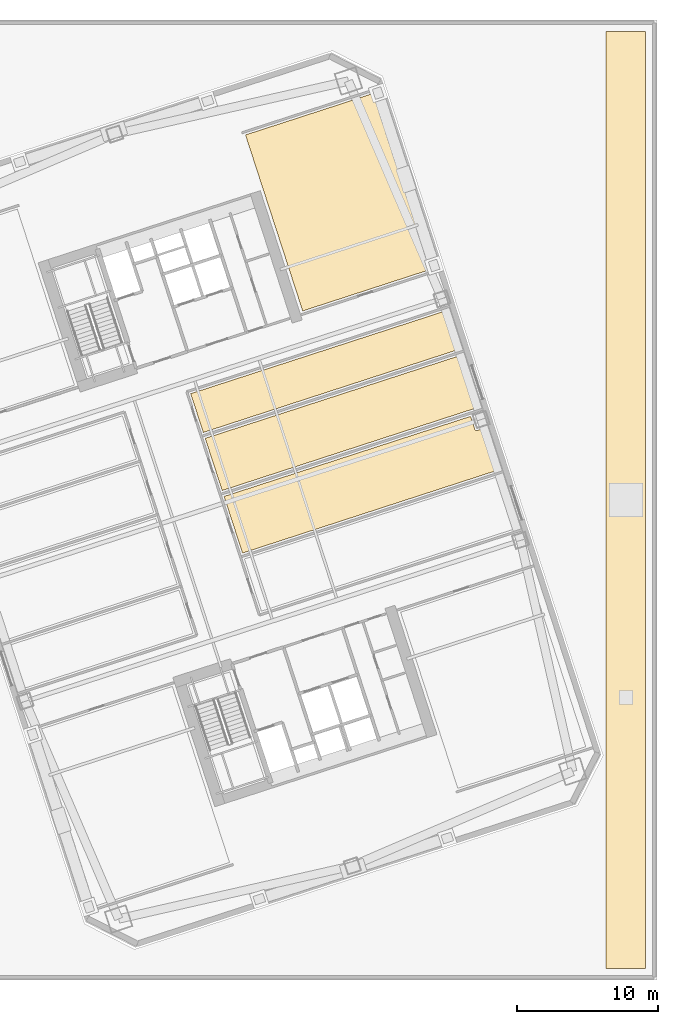
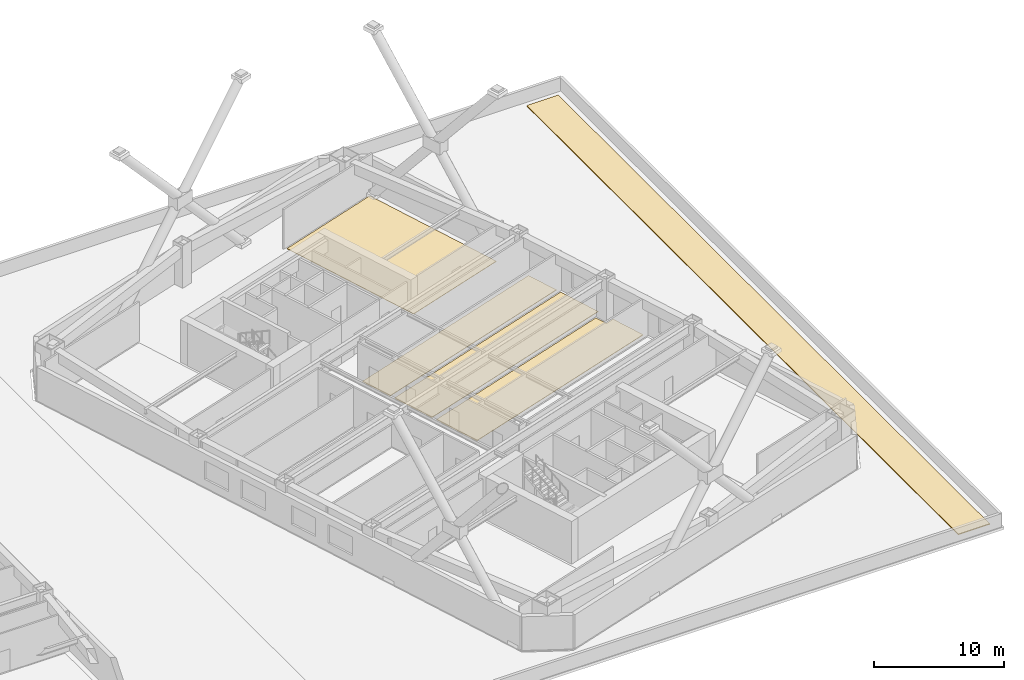
# One storey, part 20 of 20: 5 coverings.
"""IFC4 building model written with IfcOpenShell, lengths in metres."""

from ifc_helpers import new_model, si_unit, direction, frame, origin, place, context, subcontext, project, spatial, polyline, outline, extrude, material, layer, layer_set, type_object, element, save


model = new_model("IFC4")

# Units and contexts
model_context = context("Model", 3, precision=1e-05, world=origin(), true_north=direction((0.0, 1.0)))
body_context = subcontext(model_context, "Body", "Model", "MODEL_VIEW")
ifc_project = project(units=[si_unit("LENGTHUNIT", "METRE"), si_unit("AREAUNIT", "SQUARE_METRE"), si_unit("VOLUMEUNIT", "CUBIC_METRE"), si_unit("PLANEANGLEUNIT", "RADIAN"), si_unit("MASSUNIT", "GRAM", prefix="KILO")], contexts=[model_context])

# Site, building, storey
site_placement = place(None, origin())
site = spatial("IfcSite", under=ifc_project, at=site_placement, CompositionType="ELEMENT")
building_placement = place(site_placement, origin())
building = spatial("IfcBuilding", under=site, at=building_placement, Name="Qiaolan Cultural Towers", CompositionType="ELEMENT")
storey_placement = place(building_placement, frame((0.0, 0.0, 26.0)))
storey = spatial("IfcBuildingStorey", under=building, at=storey_placement, Name="L05", CompositionType="ELEMENT", Elevation=26.0)

# Coverings
ifc_material_1 = material(Name="Honed Terrazzo & Raised Access Flooring", Category="concrete")
ifc_layer_1 = layer(ifc_material_1, 0.0400390625)
ifc_layer_set_1 = layer_set([ifc_layer_1], Name="Honed Terrazzo & Raised Access Flooring")
covering_type_1 = type_object("IfcCoveringType", Name="COV-FLR-STONE", PredefinedType="FLOORING", material=ifc_layer_set_1)
covering_1_placement = place(storey_placement, origin())
element("IfcCovering", 1, at=covering_1_placement, inside=storey, type_object=covering_type_1, Name="L05 Corner Gallery Exhibition Room Finish Flooring", PredefinedType="FLOORING", context=body_context, shape_type="SweptSolid", body=[
    extrude(outline(polyline([(103.965576171875, 50.335205078125), (99.91455078125, 62.803466796875), (90.850830078125, 59.858642578125), (94.902099609375, 47.39013671875), (103.965576171875, 50.335205078125)])), origin(), (0.0, 0.0, 1.0), 0.0400390625),
])
covering_2_placement = place(storey_placement, origin())
element("IfcCovering", 2, at=covering_2_placement, inside=storey, type_object=covering_type_1, Name="L05 Boardroom Finish Flooring", PredefinedType="FLOORING", context=body_context, shape_type="SweptSolid", body=[
    extrude(outline(polyline([(89.33447265625, 34.252197265625), (90.63818359375, 30.239501953125), (108.817626953125, 36.146484375), (107.8525390625, 39.1171875), (107.243896484375, 38.91943359375), (107.232421875, 38.916259765625), (107.220703125, 38.914306640625), (107.208984375, 38.91357421875), (107.197265625, 38.913818359375), (107.185546875, 38.915283203125), (107.174072265625, 38.91796875), (107.1630859375, 38.921875), (107.15234375, 38.926513671875), (107.14208984375, 38.932373046875), (107.13232421875, 38.939208984375), (107.12353515625, 38.947021484375), (107.115478515625, 38.95556640625), (107.108154296875, 38.96484375), (107.10205078125, 38.974853515625), (107.0966796875, 38.9853515625), (107.092529296875, 38.996337890625), (106.791015625, 39.92431640625), (89.33447265625, 34.252197265625)])), origin(), (0.0, 0.0, 1.0), 0.0400390625),
])
covering_3_placement = place(storey_placement, origin())
element("IfcCovering", 3, at=covering_3_placement, inside=storey, type_object=covering_type_1, Name="L05 Tea Pantry Finish Flooring", PredefinedType="FLOORING", context=body_context, shape_type="SweptSolid", body=[
    extrude(outline(polyline([(107.3779296875, 40.57763671875), (106.177001953125, 44.273681640625), (87.99755859375, 38.366943359375), (89.198486328125, 34.670654296875), (107.3779296875, 40.57763671875)])), origin(), (0.0, 0.0, 1.0), 0.0400390625),
])
covering_4_placement = place(storey_placement, origin())
element("IfcCovering", 4, at=covering_4_placement, inside=storey, type_object=covering_type_1, Name="L05 Design Office Finish Flooring", PredefinedType="FLOORING", context=body_context, shape_type="SweptSolid", body=[
    extrude(outline(polyline([(106.041015625, 44.6923828125), (105.148681640625, 47.43896484375), (86.96923828125, 41.531982421875), (87.861572265625, 38.785400390625), (106.041015625, 44.6923828125)])), origin(), (0.0, 0.0, 1.0), 0.0400390625),
])
ifc_material_2 = material(Name="TPO Waterproofing & Extruded Polystyrene Inverted Roof System", Category="bitumen")
ifc_layer_2 = layer(ifc_material_2, 0.080078125)
ifc_layer_set_2 = layer_set([ifc_layer_2], Name="TPO Waterproofing & Extruded Polystyrene Inverted Roof System")
covering_type_2 = type_object("IfcCoveringType", Name="COV-ROOF-MEMB", PredefinedType="ROOFING", material=ifc_layer_set_2)
covering_5_placement = place(storey_placement, origin())
element("IfcCovering", 5, at=covering_5_placement, inside=storey, type_object=covering_type_2, Name="Podium Inverted Waterproofing Roof Membrane COV-PRF-E", PredefinedType="ROOFING", context=body_context, shape_type="SweptSolid", body=[
    extrude(outline(polyline([(116.39990234375, 0.800048828125), (119.199951171875, 0.800048828125), (119.199951171875, 67.199951171875), (116.39990234375, 67.199951171875), (116.39990234375, 0.800048828125)])), origin(), (0.0, 0.0, 1.0), 0.080078125),
])

save(model, "model.ifc")
